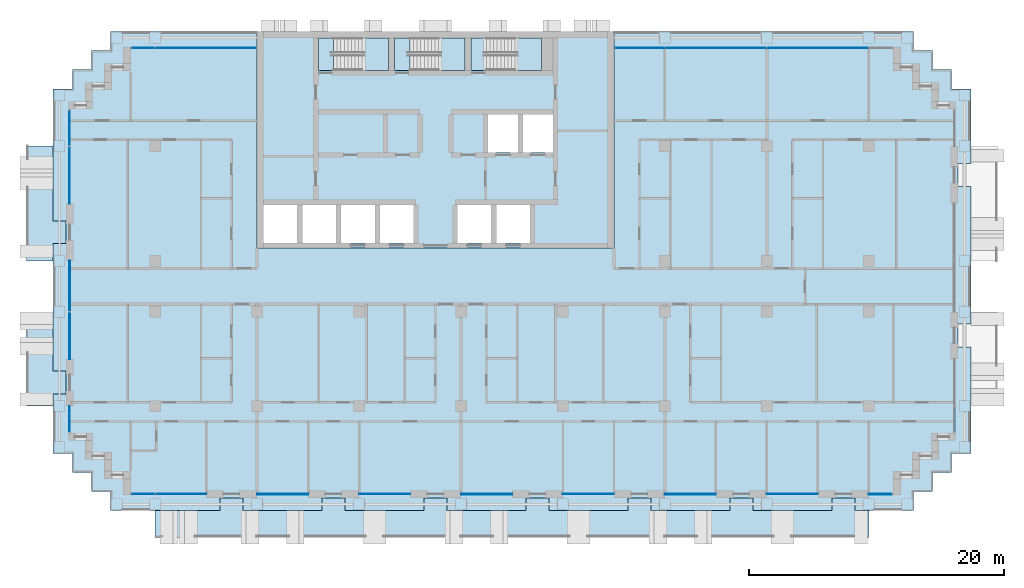
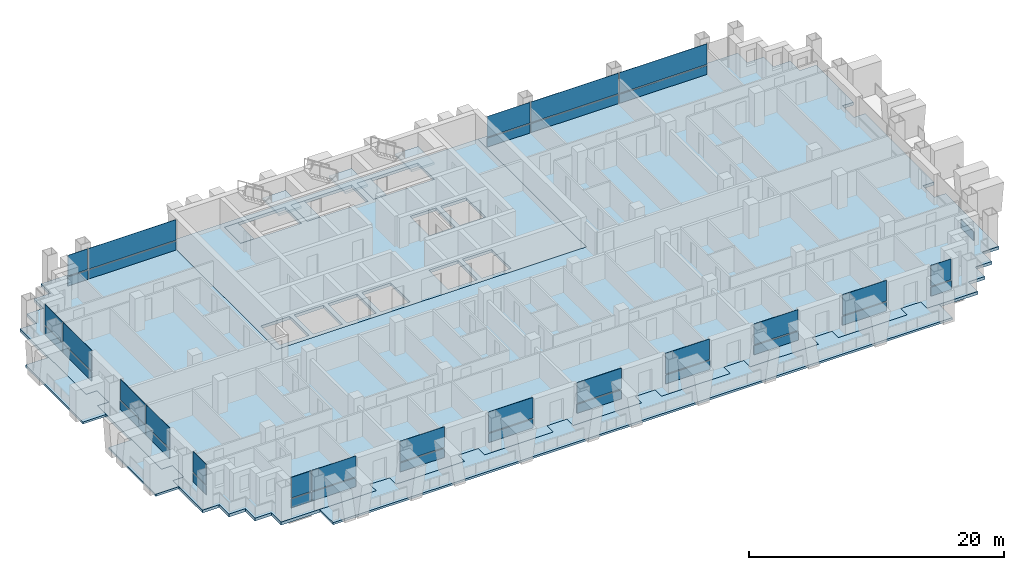
# One storey, part 7 of 18: 39 plates, 11 slabs, 17 elements without a shape of their own.
"""IFC4 building model written with IfcOpenShell, lengths in metres."""

import ifcopenshell
import ifcopenshell.guid

model = None  # the IFC model being written
_history = None  # IfcOwnerHistory: only IFC2X3 demands one
_inside = {}  # id of a spatial element -> (the spatial element, [elements in it])
_under = {}  # id of a project, library or spatial element -> (it, [spatial elements below it])
_declared = {}  # id of a project -> (the project, [libraries it declares])
_typed = {}  # id of a type object -> (the type object, [elements of that type])
_made_of = {}  # id of a material, layer set ... -> (it, [elements and type objects made of it])


def new_model(schema):
    """Start an empty IFC model of exactly this schema.

    Asked for "IFC4X3", IfcOpenShell would pick the latest addendum, in which some entities
    have other attributes; the version numbers below select the first issue.
    IFC2X3 requires an IfcOwnerHistory on every rooted entity: one is made here for all.
    """
    global model, _history
    if schema == "IFC4X3":
        model = ifcopenshell.file(schema_version=(4, 3, 0, 0))
    else:
        model = ifcopenshell.file(schema=schema)
    _inside.clear()
    _under.clear()
    _declared.clear()
    _typed.clear()
    _made_of.clear()
    _history = None
    if model.schema == "IFC2X3":
        org = make("IfcOrganization", Name="unknown")
        user = make(
            "IfcPersonAndOrganization",
            ThePerson=make("IfcPerson", FamilyName="unknown"),
            TheOrganization=org,
        )
        app = make(
            "IfcApplication",
            ApplicationDeveloper=org,
            Version="unknown",
            ApplicationFullName="unknown",
            ApplicationIdentifier="unknown",
        )
        _history = make(
            "IfcOwnerHistory",
            OwningUser=user,
            OwningApplication=app,
            ChangeAction="ADDED",
            CreationDate=0,
        )
    return model


def make(cls, **values):
    """One entity of the class cls with the attributes given. An attribute that is None is left unset."""
    return model.create_entity(
        cls, **{name: value for name, value in values.items() if value is not None}
    )


def rooted(cls, **values):
    """An entity with a GlobalId (a new one), such as an element, a storey or a relation."""
    return make(cls, GlobalId=ifcopenshell.guid.new(), OwnerHistory=_history, **values)


def si_unit(unit_type, name, prefix=None):
    """IfcSIUnit, for example si_unit("LENGTHUNIT", "METRE", prefix="MILLI")."""
    return make("IfcSIUnit", UnitType=unit_type, Prefix=prefix, Name=name)


def assignment(units):
    """IfcUnitAssignment: the units of a project."""
    return None if units is None else make("IfcUnitAssignment", Units=units)


def point(xyz):
    """IfcCartesianPoint."""
    return None if xyz is None else make("IfcCartesianPoint", Coordinates=xyz)


def direction(xyz):
    """IfcDirection."""
    return None if xyz is None else make("IfcDirection", DirectionRatios=xyz)


def frame(location, z_axis=None, x_axis=None):
    """IfcAxis2Placement3D, a coordinate frame: its origin and axes. An axis left out is left unset."""
    return make(
        "IfcAxis2Placement3D",
        Location=point(location),
        Axis=direction(z_axis),
        RefDirection=direction(x_axis),
    )


def frame_2d(location, x_axis=None):
    """IfcAxis2Placement2D, a coordinate frame in the plane: its origin and x axis."""
    return make(
        "IfcAxis2Placement2D", Location=point(location), RefDirection=direction(x_axis)
    )


def origin():
    """The frame at (0, 0, 0) with its axes left unset."""
    return frame((0.0, 0.0, 0.0))


def origin_2d():
    """The frame at (0, 0) in the plane with its x axis left unset."""
    return frame_2d((0.0, 0.0))


def place(relative_to, where):
    """IfcLocalPlacement: puts the frame where relative to a parent placement (None: the world)."""
    return make(
        "IfcLocalPlacement", PlacementRelTo=relative_to, RelativePlacement=where
    )


def context(
    kind, dimensions, precision=None, world=None, true_north=None, identifier=None
):
    """IfcGeometricRepresentationContext, for example the 3D "Model" context."""
    return make(
        "IfcGeometricRepresentationContext",
        ContextIdentifier=identifier,
        ContextType=kind,
        CoordinateSpaceDimension=dimensions,
        Precision=precision,
        WorldCoordinateSystem=world,
        TrueNorth=true_north,
    )


def subcontext(parent, identifier, kind, view, scale=None):
    """IfcGeometricRepresentationSubContext, for example "Body" below "Model"."""
    return make(
        "IfcGeometricRepresentationSubContext",
        ContextIdentifier=identifier,
        ContextType=kind,
        ParentContext=parent,
        TargetScale=scale,
        TargetView=view,
    )


def project(units=None, contexts=None):
    """IfcProject with its units and contexts."""
    return rooted(
        "IfcProject",
        Name="project",
        RepresentationContexts=contexts,
        UnitsInContext=assignment(units),
    )


def spatial(cls, under=None, at=None, **own):
    """A site, building, storey or space (cls), placed at a placement, below another one or the project."""
    s = rooted(cls, ObjectPlacement=at, **own)
    if under is not None:
        _under.setdefault(under.id(), (under, []))[1].append(s)
    return s


def polyline(points):
    """IfcPolyline through the points."""
    return make("IfcPolyline", Points=[point(p) for p in points])


def profile(cls, at=None, kind="AREA", **sizes):
    """A parametric profile (cls). Its sizes go by their IFC names, for example OverallWidth=200.0."""
    return make(cls, ProfileType=kind, Position=at, **sizes)


def rectangle(**sizes):
    """IfcRectangleProfileDef."""
    return profile("IfcRectangleProfileDef", **sizes)


def outline(outer, holes=None, kind="AREA"):
    """IfcArbitraryClosedProfileDef: a profile drawn as a closed curve; with holes, ...WithVoids."""
    if holes is None:
        return make("IfcArbitraryClosedProfileDef", ProfileType=kind, OuterCurve=outer)
    return make(
        "IfcArbitraryProfileDefWithVoids",
        ProfileType=kind,
        OuterCurve=outer,
        InnerCurves=holes,
    )


def extrude(swept, where, along, depth):
    """IfcExtrudedAreaSolid: the profile swept, set in the frame where, extruded along a direction by depth."""
    return make(
        "IfcExtrudedAreaSolid",
        SweptArea=swept,
        Position=where,
        ExtrudedDirection=direction(along),
        Depth=depth,
    )


def shape(context_of_items, identifier, shape_type, items):
    """IfcShapeRepresentation: the items that make up one representation, for example the "Body"."""
    return make(
        "IfcShapeRepresentation",
        ContextOfItems=context_of_items,
        RepresentationIdentifier=identifier,
        RepresentationType=shape_type,
        Items=items,
    )


def material(Name=None, Category=None):
    """IfcMaterial."""
    return make("IfcMaterial", Name=Name, Category=Category)


def layer(
    of_material, thickness, ventilated=None, Name=None, Category=None, Priority=None
):
    """IfcMaterialLayer: one layer of a wall or slab, of a material (None: an air gap)."""
    return make(
        "IfcMaterialLayer",
        Material=of_material,
        LayerThickness=thickness,
        IsVentilated=ventilated,
        Name=Name,
        Category=Category,
        Priority=Priority,
    )


def layer_set(layers, Name=None):
    """IfcMaterialLayerSet."""
    return make("IfcMaterialLayerSet", MaterialLayers=layers, LayerSetName=Name)


def made_of(thing, what):
    """Note that an element or type object is made of a material, layer set ...; save() writes the relation."""
    if what is not None:
        _made_of.setdefault(what.id(), (what, []))[1].append(thing)
    return thing


def type_object(cls, material=None, **own):
    """A type object (cls), such as IfcWallType, which elements share."""
    return made_of(rooted(cls, **own), material)


def element(
    cls,
    number,
    at=None,
    inside=None,
    cuts=None,
    type_object=None,
    material=None,
    context=None,
    identifier="Body",
    shape_type=None,
    held_by="IfcProductDefinitionShape",
    body=None,
    shapes=None,
    **own,
):
    """One element of the class cls, such as IfcWall. Its Tag is "e" and its number.

    at: its placement. inside: the storey or other place that contains it. cuts: it is an
    opening in that element (IfcRelVoidsElement). A single representation is given by context,
    identifier, shape_type and body (its items); several are given by shapes. held_by: the class
    of the entity that holds the representations. save() writes the other relations.
    """
    e = rooted(cls, Tag="e%d" % number, ObjectPlacement=at, **own)
    if body is not None:
        shapes = [shape(context, identifier, shape_type, body)]
    if shapes is not None:
        e.Representation = make(held_by, Representations=shapes)
    if inside is not None:
        _inside.setdefault(inside.id(), (inside, []))[1].append(e)
    if cuts is not None:
        rooted(
            "IfcRelVoidsElement", RelatingBuildingElement=cuts, RelatedOpeningElement=e
        )
    if type_object is not None:
        _typed.setdefault(type_object.id(), (type_object, []))[1].append(e)
    return made_of(e, material)


def aggregate(whole, parts):
    """IfcRelAggregates: a whole, such as a stair, and the parts it consists of."""
    return rooted("IfcRelAggregates", RelatingObject=whole, RelatedObjects=parts)


def save(model, path):
    """Write the relations noted so far, then the file.

    IfcRelAggregates (storeys below a building ...), IfcRelContainedInSpatialStructure (elements
    in a storey), IfcRelDefinesByType, IfcRelAssociatesMaterial and IfcRelDeclares: one each for
    every whole, place, type object, material and project.
    """
    for whole, parts in _under.values():
        aggregate(whole, parts)
    for where, things in _inside.values():
        rooted(
            "IfcRelContainedInSpatialStructure",
            RelatedElements=things,
            RelatingStructure=where,
        )
    for kind, things in _typed.values():
        rooted("IfcRelDefinesByType", RelatedObjects=things, RelatingType=kind)
    for what, things in _made_of.values():
        rooted("IfcRelAssociatesMaterial", RelatedObjects=things, RelatingMaterial=what)
    for by, libraries in _declared.values():
        rooted("IfcRelDeclares", RelatingContext=by, RelatedDefinitions=libraries)
    model.write(path)


model = new_model("IFC4")

# Units and contexts
model_context = context("Model", 3, precision=1e-05, world=origin(), true_north=direction((0.0, 1.0)))
body_context = subcontext(model_context, "Body", "Model", "MODEL_VIEW")
ifc_project = project(units=[si_unit("LENGTHUNIT", "METRE"), si_unit("AREAUNIT", "SQUARE_METRE"), si_unit("VOLUMEUNIT", "CUBIC_METRE"), si_unit("PLANEANGLEUNIT", "RADIAN"), si_unit("MASSUNIT", "GRAM", prefix="KILO")], contexts=[model_context])

# Site, building, storey
site_placement = place(None, origin())
site = spatial("IfcSite", under=ifc_project, at=site_placement, CompositionType="ELEMENT")
building_placement = place(site_placement, origin())
building = spatial("IfcBuilding", under=site, at=building_placement, Name="Vidyagriha Tower", CompositionType="ELEMENT")
storey_placement = place(building_placement, frame((0.0, 0.0, 93.5)))
storey = spatial("IfcBuildingStorey", under=building, at=storey_placement, Name="L24", CompositionType="ELEMENT", Elevation=93.5)

# Curtain wall, plate
ifc_material_1 = material(Name="Aluminium and glass curtain wall", Category="aluminium")
curtain_wall_type = type_object("IfcCurtainWallType", Name="Dwelling skin unitised curtain wall", PredefinedType="USERDEFINED", material=ifc_material_1)
curtain_wall_1_placement = place(storey_placement, origin())
curtain_wall_1 = element("IfcCurtainWall", 1, at=curtain_wall_1_placement, inside=storey, type_object=curtain_wall_type, Name="CW1 dwelling skin", ObjectType="UNITISED", PredefinedType="USERDEFINED")
ifc_material_2 = material(Name="Glass dark ceramic-fritted spandrel", Category="glass")
ifc_layer_1 = layer(ifc_material_2, 0.0400390625)
ifc_layer_set_1 = layer_set([ifc_layer_1], Name="Glass dark ceramic-fritted spandrel")
plate_type_1 = type_object("IfcPlateType", Name="Ceramic-fritted spandrel panel", PredefinedType="CURTAIN_PANEL", material=ifc_layer_set_1)
plate_1_placement = place(storey_placement, frame((22.0, 18.699951171875, 0.0), z_axis=(0.0, 0.0, 1.0), x_axis=(-1.0, 0.0, 0.0)))
plate_1 = element("IfcPlate", 2, at=plate_1_placement, type_object=plate_type_1, Name="CW1 panel 3.1", PredefinedType="CURTAIN_PANEL", context=body_context, shape_type="SweptSolid", body=[
    extrude(rectangle(XDim=7.929931640625, YDim=0.0400390625, at=origin_2d()), origin(), (0.0, 0.0, 1.0), 0.85009765625),
])

curtain_wall_2_placement = place(storey_placement, origin())
curtain_wall_2 = element("IfcCurtainWall", 3, at=curtain_wall_2_placement, inside=storey, type_object=curtain_wall_type, Name="CW1 dwelling skin", ObjectType="UNITISED", PredefinedType="USERDEFINED")
plate_2_placement = place(storey_placement, frame((-18.017578125, 18.699951171875, 0.0), z_axis=(0.0, 0.0, 1.0), x_axis=(-1.0, 0.0, 0.0)))
plate_2 = element("IfcPlate", 4, at=plate_2_placement, type_object=plate_type_1, Name="CW1 panel 1.1", PredefinedType="CURTAIN_PANEL", context=body_context, shape_type="SweptSolid", body=[
    extrude(rectangle(XDim=7.89501953125, YDim=0.0400390625, at=origin_2d()), origin(), (0.0, 0.0, 1.0), 0.85009765625),
])

# Curtain wall, plates
curtain_wall_3_placement = place(storey_placement, origin())
curtain_wall_3 = element("IfcCurtainWall", 5, at=curtain_wall_3_placement, inside=storey, type_object=curtain_wall_type, Name="CW1 dwelling skin", ObjectType="UNITISED", PredefinedType="USERDEFINED")
plate_3_placement = place(storey_placement, frame((-28.699951171875, 12.4326171875, 0.0), z_axis=(0.0, 0.0, 1.0), x_axis=(0.0, -1.0, 0.0)))
plate_3 = element("IfcPlate", 6, at=plate_3_placement, type_object=plate_type_1, Name="CW1 panel 1.1", PredefinedType="CURTAIN_PANEL", context=body_context, shape_type="SweptSolid", body=[
    extrude(rectangle(XDim=2.794921875, YDim=0.0400390625, at=origin_2d()), origin(), (0.0, 0.0, 1.0), 0.85009765625),
])
plate_4_placement = place(storey_placement, frame((-28.699951171875, 8.732421875, 0.0), z_axis=(0.0, 0.0, 1.0), x_axis=(0.0, -1.0, 0.0)))
plate_4 = element("IfcPlate", 7, at=plate_4_placement, type_object=plate_type_1, Name="CW1 panel 2.1", PredefinedType="CURTAIN_PANEL", context=body_context, shape_type="SweptSolid", body=[
    extrude(rectangle(XDim=4.465087890625, YDim=0.0400390625, at=origin_2d()), origin(), (0.0, 0.0, 1.0), 0.85009765625),
])

# Curtain wall, plate
curtain_wall_4_placement = place(storey_placement, origin())
curtain_wall_4 = element("IfcCurtainWall", 8, at=curtain_wall_4_placement, inside=storey, type_object=curtain_wall_type, Name="CW1 dwelling skin", ObjectType="UNITISED", PredefinedType="USERDEFINED")
plate_5_placement = place(storey_placement, frame((-28.699951171875, -10.4150390625, 0.0), z_axis=(0.0, 0.0, 1.0), x_axis=(0.0, -1.0, 0.0)))
plate_5 = element("IfcPlate", 9, at=plate_5_placement, type_object=plate_type_1, Name="CW1 panel 1.1", PredefinedType="CURTAIN_PANEL", context=body_context, shape_type="SweptSolid", body=[
    extrude(rectangle(XDim=2.030029296875, YDim=0.0400390625, at=origin_2d()), origin(), (0.0, 0.0, 1.0), 0.85009765625),
])

# Curtain wall, plates
curtain_wall_5_placement = place(storey_placement, origin())
curtain_wall_5 = element("IfcCurtainWall", 10, at=curtain_wall_5_placement, inside=storey, type_object=curtain_wall_type, Name="CW1 dwelling skin", ObjectType="UNITISED", PredefinedType="USERDEFINED")
plate_6_placement = place(storey_placement, frame((-22.9326171875, -16.300048828125, 0.0)))
plate_6 = element("IfcPlate", 11, at=plate_6_placement, type_object=plate_type_1, Name="CW1 panel 1.1", PredefinedType="CURTAIN_PANEL", context=body_context, shape_type="SweptSolid", body=[
    extrude(rectangle(XDim=1.794921875, YDim=0.0400390625, at=origin_2d()), origin(), (0.0, 0.0, 1.0), 0.85009765625),
])
plate_7_placement = place(storey_placement, frame((-19.982421875, -16.300048828125, 0.0)))
plate_7 = element("IfcPlate", 12, at=plate_7_placement, type_object=plate_type_1, Name="CW1 panel 2.1", PredefinedType="CURTAIN_PANEL", context=body_context, shape_type="SweptSolid", body=[
    extrude(rectangle(XDim=3.965087890625, YDim=0.0400390625, at=origin_2d()), origin(), (0.0, 0.0, 1.0), 0.85009765625),
])

# Curtain wall, plate
curtain_wall_6_placement = place(storey_placement, origin())
curtain_wall_6 = element("IfcCurtainWall", 13, at=curtain_wall_6_placement, inside=storey, type_object=curtain_wall_type, Name="CW1 dwelling skin", ObjectType="UNITISED", PredefinedType="USERDEFINED")
plate_8_placement = place(storey_placement, frame((-4.0, -16.300048828125, 0.0)))
plate_8 = element("IfcPlate", 14, at=plate_8_placement, type_object=plate_type_1, Name="CW1 panel 1.1", PredefinedType="CURTAIN_PANEL", context=body_context, shape_type="SweptSolid", body=[
    extrude(rectangle(XDim=4.0, YDim=0.0400390625, at=origin_2d()), origin(), (0.0, 0.0, 1.0), 0.85009765625),
])

curtain_wall_7_placement = place(storey_placement, origin())
curtain_wall_7 = element("IfcCurtainWall", 15, at=curtain_wall_7_placement, inside=storey, type_object=curtain_wall_type, Name="CW1 dwelling skin", ObjectType="UNITISED", PredefinedType="USERDEFINED")
plate_9_placement = place(storey_placement, frame((12.0, -16.300048828125, 0.0)))
plate_9 = element("IfcPlate", 16, at=plate_9_placement, type_object=plate_type_1, Name="CW1 panel 1.1", PredefinedType="CURTAIN_PANEL", context=body_context, shape_type="SweptSolid", body=[
    extrude(rectangle(XDim=4.0, YDim=0.0400390625, at=origin_2d()), origin(), (0.0, 0.0, 1.0), 0.85009765625),
])

curtain_wall_8_placement = place(storey_placement, origin())
curtain_wall_8 = element("IfcCurtainWall", 17, at=curtain_wall_8_placement, inside=storey, type_object=curtain_wall_type, Name="CW1 dwelling skin", ObjectType="UNITISED", PredefinedType="USERDEFINED")
plate_10_placement = place(storey_placement, frame((28.0, -16.300048828125, 0.0)))
plate_10 = element("IfcPlate", 18, at=plate_10_placement, type_object=plate_type_1, Name="CW1 panel 1.1", PredefinedType="CURTAIN_PANEL", context=body_context, shape_type="SweptSolid", body=[
    extrude(rectangle(XDim=4.0, YDim=0.0400390625, at=origin_2d()), origin(), (0.0, 0.0, 1.0), 0.85009765625),
])

curtain_wall_9_placement = place(storey_placement, origin())
curtain_wall_9 = element("IfcCurtainWall", 19, at=curtain_wall_9_placement, inside=storey, type_object=curtain_wall_type, Name="CW1 dwelling skin", ObjectType="UNITISED", PredefinedType="USERDEFINED")
plate_11_placement = place(storey_placement, frame((40.699951171875, -10.4326171875, 0.0), z_axis=(0.0, 0.0, 1.0), x_axis=(0.0, 1.0, 0.0)))
plate_11 = element("IfcPlate", 20, at=plate_11_placement, type_object=plate_type_1, Name="CW1 panel 1.1", PredefinedType="CURTAIN_PANEL", context=body_context, shape_type="SweptSolid", body=[
    extrude(rectangle(XDim=1.9951171875, YDim=0.0400390625, at=origin_2d()), origin(), (0.0, 0.0, 1.0), 0.85009765625),
])
aggregate(curtain_wall_9, [plate_11])

# Slab
ifc_material_3 = material(Name="Concrete C60/75", Category="concrete")
ifc_layer_2 = layer(ifc_material_3, 0.280029296875)
ifc_layer_set_2 = layer_set([ifc_layer_2], Name="Concrete C60/75")
slab_type_1 = type_object("IfcSlabType", Name="Core floor slab 280 mm", PredefinedType="FLOOR", material=ifc_layer_set_2)
slab_1_placement = place(storey_placement, frame((0.0, 0.0, -0.280029296875)))
element("IfcSlab", 21, at=slab_1_placement, inside=storey, type_object=slab_type_1, Name="L24 core floor 1", PredefinedType="FLOOR", context=body_context, shape_type="SweptSolid", body=[
    extrude(outline(polyline([(-14.0, 3.0), (-14.0, 20.0), (14.0, 20.0), (14.0, 3.0), (-14.0, 3.0)]), holes=[polyline([(9.199951171875, 13.5), (6.86669921875, 13.5), (6.86669921875, 10.5), (9.199951171875, 10.5), (9.199951171875, 13.5)]), polyline([(4.0, 19.5), (2.800048828125, 19.5), (2.800048828125, 16.949951171875), (4.0, 16.949951171875), (8.300048828125, 16.949951171875), (8.300048828125, 19.5), (4.0, 19.5)]), polyline([(7.4111328125, 6.39990234375), (4.7666015625, 6.39990234375), (4.7666015625, 3.39990234375), (7.4111328125, 3.39990234375), (7.4111328125, 6.39990234375)]), polyline([(6.466796875, 13.5), (4.13330078125, 13.5), (4.13330078125, 10.5), (6.466796875, 10.5), (6.466796875, 13.5)]), polyline([(1.72216796875, 6.39990234375), (1.72216796875, 3.39990234375), (4.36669921875, 3.39990234375), (4.36669921875, 6.39990234375), (1.72216796875, 6.39990234375)]), polyline([(-2.0, 16.949951171875), (2.300048828125, 16.949951171875), (2.300048828125, 19.5), (-2.0, 19.5), (-3.199951171875, 19.5), (-3.199951171875, 16.949951171875), (-2.0, 16.949951171875)]), polyline([(-1.72216796875, 6.39990234375), (-4.36669921875, 6.39990234375), (-4.36669921875, 3.39990234375), (-1.72216796875, 3.39990234375), (-1.72216796875, 6.39990234375)]), polyline([(-8.0, 19.5), (-9.199951171875, 19.5), (-9.199951171875, 16.949951171875), (-8.0, 16.949951171875), (-3.699951171875, 16.949951171875), (-3.699951171875, 19.5), (-8.0, 19.5)]), polyline([(-4.7666015625, 6.39990234375), (-7.4111328125, 6.39990234375), (-7.4111328125, 3.39990234375), (-4.7666015625, 3.39990234375), (-4.7666015625, 6.39990234375)]), polyline([(-7.81103515625, 6.39990234375), (-10.45556640625, 6.39990234375), (-10.45556640625, 3.39990234375), (-7.81103515625, 3.39990234375), (-7.81103515625, 6.39990234375)]), polyline([(-13.5, 6.39990234375), (-13.5, 3.39990234375), (-10.855712890625, 3.39990234375), (-10.855712890625, 6.39990234375), (-13.5, 6.39990234375)])]), origin(), (0.0, 0.0, 1.0), 0.280029296875),
])

# Plate
ifc_material_4 = material(Name="Glass dark ceramic-fritted", Category="glass")
ifc_layer_3 = layer(ifc_material_4, 0.028076171875)
ifc_layer_set_3 = layer_set([ifc_layer_3], Name="Glass dark ceramic-fritted")
plate_type_2 = type_object("IfcPlateType", Name="Dark ceramic-fritted vision glass panel", PredefinedType="CURTAIN_PANEL", material=ifc_layer_set_3)
plate_12_placement = place(storey_placement, frame((30.0, 18.699951171875, 0.9501953125), z_axis=(0.0, 0.0, 1.0), x_axis=(-1.0, 0.0, 0.0)))
plate_12 = element("IfcPlate", 22, at=plate_12_placement, type_object=plate_type_2, Name="CW1 panel 2.2", PredefinedType="CURTAIN_PANEL", context=body_context, shape_type="SweptSolid", body=[
    extrude(rectangle(XDim=7.929931640625, YDim=0.028076171875, at=origin_2d()), origin(), (0.0, 0.0, 1.0), 1.969970703125),
])

plate_13_placement = place(storey_placement, frame((22.0, 18.699951171875, 0.9501953125), z_axis=(0.0, 0.0, 1.0), x_axis=(-1.0, 0.0, 0.0)))
plate_13 = element("IfcPlate", 23, at=plate_13_placement, type_object=plate_type_2, Name="CW1 panel 3.2", PredefinedType="CURTAIN_PANEL", context=body_context, shape_type="SweptSolid", body=[
    extrude(rectangle(XDim=7.929931640625, YDim=0.028076171875, at=origin_2d()), origin(), (0.0, 0.0, 1.0), 1.969970703125),
])

plate_14_placement = place(storey_placement, frame((16.017578125, 18.699951171875, 0.9501953125), z_axis=(0.0, 0.0, 1.0), x_axis=(-1.0, 0.0, 0.0)))
plate_14 = element("IfcPlate", 24, at=plate_14_placement, type_object=plate_type_2, Name="CW1 panel 4.2", PredefinedType="CURTAIN_PANEL", context=body_context, shape_type="SweptSolid", body=[
    extrude(rectangle(XDim=3.89501953125, YDim=0.028076171875, at=origin_2d()), origin(), (0.0, 0.0, 1.0), 1.969970703125),
])

plate_15_placement = place(storey_placement, frame((-18.017578125, 18.699951171875, 0.9501953125), z_axis=(0.0, 0.0, 1.0), x_axis=(-1.0, 0.0, 0.0)))
plate_15 = element("IfcPlate", 25, at=plate_15_placement, type_object=plate_type_2, Name="CW1 panel 1.2", PredefinedType="CURTAIN_PANEL", context=body_context, shape_type="SweptSolid", body=[
    extrude(rectangle(XDim=7.89501953125, YDim=0.028076171875, at=origin_2d()), origin(), (0.0, 0.0, 1.0), 1.969970703125),
])

plate_16_placement = place(storey_placement, frame((-22.9326171875, 18.699951171875, 0.9501953125), z_axis=(0.0, 0.0, 1.0), x_axis=(-1.0, 0.0, 0.0)))
plate_16 = element("IfcPlate", 26, at=plate_16_placement, type_object=plate_type_2, Name="CW1 panel 2.2", PredefinedType="CURTAIN_PANEL", context=body_context, shape_type="SweptSolid", body=[
    extrude(rectangle(XDim=1.794921875, YDim=0.028076171875, at=origin_2d()), origin(), (0.0, 0.0, 1.0), 1.969970703125),
])

plate_17_placement = place(storey_placement, frame((-28.699951171875, 12.4326171875, 0.9501953125), z_axis=(0.0, 0.0, 1.0), x_axis=(0.0, -1.0, 0.0)))
plate_17 = element("IfcPlate", 27, at=plate_17_placement, type_object=plate_type_2, Name="CW1 panel 1.2", PredefinedType="CURTAIN_PANEL", context=body_context, shape_type="SweptSolid", body=[
    extrude(rectangle(XDim=2.794921875, YDim=0.028076171875, at=origin_2d()), origin(), (0.0, 0.0, 1.0), 1.969970703125),
])

plate_18_placement = place(storey_placement, frame((-28.699951171875, 8.732421875, 0.9501953125), z_axis=(0.0, 0.0, 1.0), x_axis=(0.0, -1.0, 0.0)))
plate_18 = element("IfcPlate", 28, at=plate_18_placement, type_object=plate_type_2, Name="CW1 panel 2.2", PredefinedType="CURTAIN_PANEL", context=body_context, shape_type="SweptSolid", body=[
    extrude(rectangle(XDim=4.465087890625, YDim=0.028076171875, at=origin_2d()), origin(), (0.0, 0.0, 1.0), 1.969970703125),
])

aggregate(curtain_wall_3, [plate_3, plate_17, plate_4, plate_18])

# Curtain wall, plates
curtain_wall_10_placement = place(storey_placement, origin())
curtain_wall_10 = element("IfcCurtainWall", 29, at=curtain_wall_10_placement, inside=storey, type_object=curtain_wall_type, Name="CW1 dwelling skin", ObjectType="UNITISED", PredefinedType="USERDEFINED")
plate_19_placement = place(storey_placement, frame((-28.699951171875, 0.017578125, 0.9501953125), z_axis=(0.0, 0.0, 1.0), x_axis=(0.0, -1.0, 0.0)))
plate_19 = element("IfcPlate", 30, at=plate_19_placement, type_object=plate_type_2, Name="CW1 panel 1.2", PredefinedType="CURTAIN_PANEL", context=body_context, shape_type="SweptSolid", body=[
    extrude(rectangle(XDim=3.965087890625, YDim=0.028076171875, at=origin_2d()), origin(), (0.0, 0.0, 1.0), 1.969970703125),
])
plate_20_placement = place(storey_placement, frame((-28.699951171875, -3.867431640625, 0.9501953125), z_axis=(0.0, 0.0, 1.0), x_axis=(0.0, -1.0, 0.0)))
plate_20 = element("IfcPlate", 31, at=plate_20_placement, type_object=plate_type_2, Name="CW1 panel 2.2", PredefinedType="CURTAIN_PANEL", context=body_context, shape_type="SweptSolid", body=[
    extrude(rectangle(XDim=3.6650390625, YDim=0.028076171875, at=origin_2d()), origin(), (0.0, 0.0, 1.0), 1.969970703125),
])

# Plate
plate_21_placement = place(storey_placement, frame((-28.699951171875, -10.4150390625, 0.9501953125), z_axis=(0.0, 0.0, 1.0), x_axis=(0.0, -1.0, 0.0)))
plate_21 = element("IfcPlate", 32, at=plate_21_placement, type_object=plate_type_2, Name="CW1 panel 1.2", PredefinedType="CURTAIN_PANEL", context=body_context, shape_type="SweptSolid", body=[
    extrude(rectangle(XDim=2.030029296875, YDim=0.028076171875, at=origin_2d()), origin(), (0.0, 0.0, 1.0), 1.969970703125),
])

aggregate(curtain_wall_4, [plate_5, plate_21])

plate_22_placement = place(storey_placement, frame((-22.9326171875, -16.300048828125, 0.9501953125)))
plate_22 = element("IfcPlate", 33, at=plate_22_placement, type_object=plate_type_2, Name="CW1 panel 1.2", PredefinedType="CURTAIN_PANEL", context=body_context, shape_type="SweptSolid", body=[
    extrude(rectangle(XDim=1.794921875, YDim=0.028076171875, at=origin_2d()), origin(), (0.0, 0.0, 1.0), 1.969970703125),
])

plate_23_placement = place(storey_placement, frame((-19.982421875, -16.300048828125, 0.9501953125)))
plate_23 = element("IfcPlate", 34, at=plate_23_placement, type_object=plate_type_2, Name="CW1 panel 2.2", PredefinedType="CURTAIN_PANEL", context=body_context, shape_type="SweptSolid", body=[
    extrude(rectangle(XDim=3.965087890625, YDim=0.028076171875, at=origin_2d()), origin(), (0.0, 0.0, 1.0), 1.969970703125),
])

aggregate(curtain_wall_5, [plate_6, plate_22, plate_7, plate_23])

# Curtain wall, plate
curtain_wall_11_placement = place(storey_placement, origin())
curtain_wall_11 = element("IfcCurtainWall", 35, at=curtain_wall_11_placement, inside=storey, type_object=curtain_wall_type, Name="CW1 dwelling skin", ObjectType="UNITISED", PredefinedType="USERDEFINED")
plate_24_placement = place(storey_placement, frame((-12.0, -16.300048828125, 0.9501953125)))
plate_24 = element("IfcPlate", 36, at=plate_24_placement, type_object=plate_type_2, Name="CW1 panel 1.2", PredefinedType="CURTAIN_PANEL", context=body_context, shape_type="SweptSolid", body=[
    extrude(rectangle(XDim=4.0, YDim=0.028076171875, at=origin_2d()), origin(), (0.0, 0.0, 1.0), 1.969970703125),
])

# Plate
plate_25_placement = place(storey_placement, frame((-4.0, -16.300048828125, 0.9501953125)))
plate_25 = element("IfcPlate", 37, at=plate_25_placement, type_object=plate_type_2, Name="CW1 panel 1.2", PredefinedType="CURTAIN_PANEL", context=body_context, shape_type="SweptSolid", body=[
    extrude(rectangle(XDim=4.0, YDim=0.028076171875, at=origin_2d()), origin(), (0.0, 0.0, 1.0), 1.969970703125),
])

aggregate(curtain_wall_6, [plate_8, plate_25])

# Curtain wall, plate
curtain_wall_12_placement = place(storey_placement, origin())
curtain_wall_12 = element("IfcCurtainWall", 38, at=curtain_wall_12_placement, inside=storey, type_object=curtain_wall_type, Name="CW1 dwelling skin", ObjectType="UNITISED", PredefinedType="USERDEFINED")
plate_26_placement = place(storey_placement, frame((4.0, -16.300048828125, 0.9501953125)))
plate_26 = element("IfcPlate", 39, at=plate_26_placement, type_object=plate_type_2, Name="CW1 panel 1.2", PredefinedType="CURTAIN_PANEL", context=body_context, shape_type="SweptSolid", body=[
    extrude(rectangle(XDim=4.0, YDim=0.028076171875, at=origin_2d()), origin(), (0.0, 0.0, 1.0), 1.969970703125),
])

# Plate
plate_27_placement = place(storey_placement, frame((12.0, -16.300048828125, 0.9501953125)))
plate_27 = element("IfcPlate", 40, at=plate_27_placement, type_object=plate_type_2, Name="CW1 panel 1.2", PredefinedType="CURTAIN_PANEL", context=body_context, shape_type="SweptSolid", body=[
    extrude(rectangle(XDim=4.0, YDim=0.028076171875, at=origin_2d()), origin(), (0.0, 0.0, 1.0), 1.969970703125),
])

aggregate(curtain_wall_7, [plate_9, plate_27])

# Curtain wall, plate
curtain_wall_13_placement = place(storey_placement, origin())
curtain_wall_13 = element("IfcCurtainWall", 41, at=curtain_wall_13_placement, inside=storey, type_object=curtain_wall_type, Name="CW1 dwelling skin", ObjectType="UNITISED", PredefinedType="USERDEFINED")
plate_28_placement = place(storey_placement, frame((20.0, -16.300048828125, 0.9501953125)))
plate_28 = element("IfcPlate", 42, at=plate_28_placement, type_object=plate_type_2, Name="CW1 panel 1.2", PredefinedType="CURTAIN_PANEL", context=body_context, shape_type="SweptSolid", body=[
    extrude(rectangle(XDim=4.0, YDim=0.028076171875, at=origin_2d()), origin(), (0.0, 0.0, 1.0), 1.969970703125),
])

# Plate
plate_29_placement = place(storey_placement, frame((28.0, -16.300048828125, 0.9501953125)))
plate_29 = element("IfcPlate", 43, at=plate_29_placement, type_object=plate_type_2, Name="CW1 panel 1.2", PredefinedType="CURTAIN_PANEL", context=body_context, shape_type="SweptSolid", body=[
    extrude(rectangle(XDim=4.0, YDim=0.028076171875, at=origin_2d()), origin(), (0.0, 0.0, 1.0), 1.969970703125),
])

aggregate(curtain_wall_8, [plate_10, plate_29])

# Curtain wall, plate
curtain_wall_14_placement = place(storey_placement, origin())
curtain_wall_14 = element("IfcCurtainWall", 44, at=curtain_wall_14_placement, inside=storey, type_object=curtain_wall_type, Name="CW1 dwelling skin", ObjectType="UNITISED", PredefinedType="USERDEFINED")
plate_30_placement = place(storey_placement, frame((34.9150390625, -16.300048828125, 0.9501953125)))
plate_30 = element("IfcPlate", 45, at=plate_30_placement, type_object=plate_type_2, Name="CW1 panel 1.2", PredefinedType="CURTAIN_PANEL", context=body_context, shape_type="SweptSolid", body=[
    extrude(rectangle(XDim=1.830078125, YDim=0.028076171875, at=origin_2d()), origin(), (0.0, 0.0, 1.0), 1.969970703125),
])

# Slabs
ifc_material_5 = material(Name="Concrete C40/50", Category="concrete")
ifc_layer_4 = layer(ifc_material_5, 0.280029296875)
ifc_layer_set_4 = layer_set([ifc_layer_4], Name="Concrete C40/50")
slab_type_2 = type_object("IfcSlabType", Name="Exit stair floor landing 280 mm", PredefinedType="LANDING", material=ifc_layer_set_4)
slab_2_placement = place(storey_placement, frame((0.0, 0.0, -0.280029296875)))
element("IfcSlab", 46, at=slab_2_placement, inside=storey, type_object=slab_type_2, Name="ST1 floor landing L24", PredefinedType="LANDING", context=body_context, shape_type="SweptSolid", body=[
    extrude(outline(polyline([(-9.199951171875, 16.949951171875), (-8.0, 16.949951171875), (-8.0, 19.5), (-9.199951171875, 19.5), (-9.199951171875, 16.949951171875)])), origin(), (0.0, 0.0, 1.0), 0.280029296875),
])
slab_3_placement = place(storey_placement, frame((0.0, 0.0, -0.280029296875)))
element("IfcSlab", 47, at=slab_3_placement, inside=storey, type_object=slab_type_2, Name="ST2 floor landing L24", PredefinedType="LANDING", context=body_context, shape_type="SweptSolid", body=[
    extrude(outline(polyline([(-3.199951171875, 16.949951171875), (-2.0, 16.949951171875), (-2.0, 19.5), (-3.199951171875, 19.5), (-3.199951171875, 16.949951171875)])), origin(), (0.0, 0.0, 1.0), 0.280029296875),
])
slab_4_placement = place(storey_placement, frame((0.0, 0.0, -0.280029296875)))
element("IfcSlab", 48, at=slab_4_placement, inside=storey, type_object=slab_type_2, Name="ST3 floor landing L24", PredefinedType="LANDING", context=body_context, shape_type="SweptSolid", body=[
    extrude(outline(polyline([(2.800048828125, 16.949951171875), (4.0, 16.949951171875), (4.0, 19.5), (2.800048828125, 19.5), (2.800048828125, 16.949951171875)])), origin(), (0.0, 0.0, 1.0), 0.280029296875),
])

# Stair, slab
ifc_material_6 = material(Name="Concrete C40/50", Category="concrete")
stair_type = type_object("IfcStairType", Name="Exit stair, half-turn, precast flights", PredefinedType="HALF_TURN_STAIR", material=ifc_material_6)
stair_1_placement = place(storey_placement, origin())
stair_1 = element("IfcStair", 49, at=stair_1_placement, inside=storey, type_object=stair_type, Name="L24 Exit Stair ST1", PredefinedType="HALF_TURN_STAIR")
ifc_material_7 = material(Name="Concrete C40/50", Category="concrete")
ifc_layer_5 = layer(ifc_material_7, 0.199951171875)
ifc_layer_set_5 = layer_set([ifc_layer_5], Name="Concrete C40/50")
slab_type_3 = type_object("IfcSlabType", Name="Exit stair landing 200 mm", PredefinedType="LANDING", material=ifc_layer_set_5)
slab_5_placement = place(storey_placement, frame((0.0, 0.0, 1.39990234375)))
slab_5 = element("IfcSlab", 50, at=slab_5_placement, type_object=slab_type_3, Name="ST1 landing 1", PredefinedType="LANDING", context=body_context, shape_type="SweptSolid", body=[
    extrude(outline(polyline([(-5.760009765625, 16.949951171875), (-3.699951171875, 16.949951171875), (-3.699951171875, 19.5), (-5.760009765625, 19.5), (-5.760009765625, 16.949951171875)])), origin(), (0.0, 0.0, 1.0), 0.2001953125),
])
aggregate(stair_1, [slab_5])

stair_2_placement = place(storey_placement, origin())
stair_2 = element("IfcStair", 51, at=stair_2_placement, inside=storey, type_object=stair_type, Name="L24 Exit Stair ST2", PredefinedType="HALF_TURN_STAIR")
slab_6_placement = place(storey_placement, frame((0.0, 0.0, 1.39990234375)))
slab_6 = element("IfcSlab", 52, at=slab_6_placement, type_object=slab_type_3, Name="ST2 landing 1", PredefinedType="LANDING", context=body_context, shape_type="SweptSolid", body=[
    extrude(outline(polyline([(0.239990234375, 16.949951171875), (2.300048828125, 16.949951171875), (2.300048828125, 19.5), (0.239990234375, 19.5), (0.239990234375, 16.949951171875)])), origin(), (0.0, 0.0, 1.0), 0.2001953125),
])
aggregate(stair_2, [slab_6])

stair_3_placement = place(storey_placement, origin())
stair_3 = element("IfcStair", 53, at=stair_3_placement, inside=storey, type_object=stair_type, Name="L24 Exit Stair ST3", PredefinedType="HALF_TURN_STAIR")
slab_7_placement = place(storey_placement, frame((0.0, 0.0, 1.39990234375)))
slab_7 = element("IfcSlab", 54, at=slab_7_placement, type_object=slab_type_3, Name="ST3 landing 1", PredefinedType="LANDING", context=body_context, shape_type="SweptSolid", body=[
    extrude(outline(polyline([(6.239990234375, 16.949951171875), (8.300048828125, 16.949951171875), (8.300048828125, 19.5), (6.239990234375, 19.5), (6.239990234375, 16.949951171875)])), origin(), (0.0, 0.0, 1.0), 0.2001953125),
])
aggregate(stair_3, [slab_7])

# Plate
ifc_material_8 = material(Name="Aluminium black anodised", Category="aluminium")
ifc_layer_6 = layer(ifc_material_8, 0.06005859375)
ifc_layer_set_6 = layer_set([ifc_layer_6], Name="Aluminium black anodised")
plate_type_3 = type_object("IfcPlateType", Name="Operable black-metal vent panel", PredefinedType="CURTAIN_PANEL", material=ifc_layer_set_6)
plate_31_placement = place(storey_placement, frame((30.0, 18.699951171875, 0.0), z_axis=(0.0, 0.0, 1.0), x_axis=(-1.0, 0.0, 0.0)))
plate_31 = element("IfcPlate", 55, at=plate_31_placement, type_object=plate_type_3, Name="CW1 panel 2.1", PredefinedType="CURTAIN_PANEL", context=body_context, shape_type="SweptSolid", body=[
    extrude(rectangle(XDim=7.929931640625, YDim=0.06005859375, at=origin_2d()), origin(), (0.0, 0.0, 1.0), 0.85009765625),
])

plate_32_placement = place(storey_placement, frame((16.017578125, 18.699951171875, 0.0), z_axis=(0.0, 0.0, 1.0), x_axis=(-1.0, 0.0, 0.0)))
plate_32 = element("IfcPlate", 56, at=plate_32_placement, type_object=plate_type_3, Name="CW1 panel 4.1", PredefinedType="CURTAIN_PANEL", context=body_context, shape_type="SweptSolid", body=[
    extrude(rectangle(XDim=3.89501953125, YDim=0.06005859375, at=origin_2d()), origin(), (0.0, 0.0, 1.0), 0.85009765625),
])

aggregate(curtain_wall_1, [plate_31, plate_12, plate_1, plate_13, plate_32, plate_14])

plate_33_placement = place(storey_placement, frame((-22.9326171875, 18.699951171875, 0.0), z_axis=(0.0, 0.0, 1.0), x_axis=(-1.0, 0.0, 0.0)))
plate_33 = element("IfcPlate", 57, at=plate_33_placement, type_object=plate_type_3, Name="CW1 panel 2.1", PredefinedType="CURTAIN_PANEL", context=body_context, shape_type="SweptSolid", body=[
    extrude(rectangle(XDim=1.794921875, YDim=0.06005859375, at=origin_2d()), origin(), (0.0, 0.0, 1.0), 0.85009765625),
])

aggregate(curtain_wall_2, [plate_2, plate_15, plate_33, plate_16])

plate_34_placement = place(storey_placement, frame((-28.699951171875, 0.017578125, 0.0), z_axis=(0.0, 0.0, 1.0), x_axis=(0.0, -1.0, 0.0)))
plate_34 = element("IfcPlate", 58, at=plate_34_placement, type_object=plate_type_3, Name="CW1 panel 1.1", PredefinedType="CURTAIN_PANEL", context=body_context, shape_type="SweptSolid", body=[
    extrude(rectangle(XDim=3.965087890625, YDim=0.06005859375, at=origin_2d()), origin(), (0.0, 0.0, 1.0), 0.85009765625),
])

plate_35_placement = place(storey_placement, frame((-28.699951171875, -3.867431640625, 0.0), z_axis=(0.0, 0.0, 1.0), x_axis=(0.0, -1.0, 0.0)))
plate_35 = element("IfcPlate", 59, at=plate_35_placement, type_object=plate_type_3, Name="CW1 panel 2.1", PredefinedType="CURTAIN_PANEL", context=body_context, shape_type="SweptSolid", body=[
    extrude(rectangle(XDim=3.6650390625, YDim=0.06005859375, at=origin_2d()), origin(), (0.0, 0.0, 1.0), 0.85009765625),
])

aggregate(curtain_wall_10, [plate_34, plate_19, plate_35, plate_20])

plate_36_placement = place(storey_placement, frame((-12.0, -16.300048828125, 0.0)))
plate_36 = element("IfcPlate", 60, at=plate_36_placement, type_object=plate_type_3, Name="CW1 panel 1.1", PredefinedType="CURTAIN_PANEL", context=body_context, shape_type="SweptSolid", body=[
    extrude(rectangle(XDim=4.0, YDim=0.06005859375, at=origin_2d()), origin(), (0.0, 0.0, 1.0), 0.85009765625),
])

aggregate(curtain_wall_11, [plate_36, plate_24])

plate_37_placement = place(storey_placement, frame((4.0, -16.300048828125, 0.0)))
plate_37 = element("IfcPlate", 61, at=plate_37_placement, type_object=plate_type_3, Name="CW1 panel 1.1", PredefinedType="CURTAIN_PANEL", context=body_context, shape_type="SweptSolid", body=[
    extrude(rectangle(XDim=4.0, YDim=0.06005859375, at=origin_2d()), origin(), (0.0, 0.0, 1.0), 0.85009765625),
])

aggregate(curtain_wall_12, [plate_37, plate_26])

plate_38_placement = place(storey_placement, frame((20.0, -16.300048828125, 0.0)))
plate_38 = element("IfcPlate", 62, at=plate_38_placement, type_object=plate_type_3, Name="CW1 panel 1.1", PredefinedType="CURTAIN_PANEL", context=body_context, shape_type="SweptSolid", body=[
    extrude(rectangle(XDim=4.0, YDim=0.06005859375, at=origin_2d()), origin(), (0.0, 0.0, 1.0), 0.85009765625),
])

aggregate(curtain_wall_13, [plate_38, plate_28])

plate_39_placement = place(storey_placement, frame((34.9150390625, -16.300048828125, 0.0)))
plate_39 = element("IfcPlate", 63, at=plate_39_placement, type_object=plate_type_3, Name="CW1 panel 1.1", PredefinedType="CURTAIN_PANEL", context=body_context, shape_type="SweptSolid", body=[
    extrude(rectangle(XDim=1.830078125, YDim=0.06005859375, at=origin_2d()), origin(), (0.0, 0.0, 1.0), 0.85009765625),
])

aggregate(curtain_wall_14, [plate_39, plate_30])

# Slabs
ifc_material_9 = material(Name="Concrete C50/60", Category="concrete")
ifc_layer_7 = layer(ifc_material_9, 0.280029296875)
ifc_layer_set_7 = layer_set([ifc_layer_7], Name="Concrete C50/60")
slab_type_4 = type_object("IfcSlabType", Name="Post-tensioned flat plate 280", PredefinedType="FLOOR", material=ifc_layer_set_7)
slab_8_placement = place(storey_placement, frame((0.0, 0.0, -0.280029296875)))
element("IfcSlab", 64, at=slab_8_placement, inside=storey, type_object=slab_type_4, Name="st-slab-L24-1", PredefinedType="FLOOR", context=body_context, shape_type="SweptSolid", body=[
    extrude(outline(polyline([(40.5, -14.60009765625), (39.0, -14.60009765625), (39.0, -16.10009765625), (37.5, -16.10009765625), (37.5, -17.60009765625), (32.89990234375, -17.60009765625), (32.89990234375, -16.60009765625), (31.10009765625, -16.60009765625), (31.10009765625, -17.60009765625), (24.89990234375, -17.60009765625), (24.89990234375, -16.60009765625), (23.10009765625, -16.60009765625), (23.10009765625, -17.60009765625), (16.89990234375, -17.60009765625), (16.89990234375, -16.60009765625), (15.10009765625, -16.60009765625), (15.10009765625, -17.60009765625), (8.89990234375, -17.60009765625), (8.89990234375, -16.60009765625), (7.10009765625, -16.60009765625), (7.10009765625, -17.60009765625), (0.89990234375, -17.60009765625), (0.89990234375, -16.60009765625), (-0.89990234375, -16.60009765625), (-0.89990234375, -17.60009765625), (-7.10009765625, -17.60009765625), (-7.10009765625, -16.60009765625), (-8.89990234375, -16.60009765625), (-8.89990234375, -17.60009765625), (-15.10009765625, -17.60009765625), (-15.10009765625, -16.60009765625), (-16.89990234375, -16.60009765625), (-16.89990234375, -17.60009765625), (-25.5, -17.60009765625), (-25.5, -16.10009765625), (-27.0, -16.10009765625), (-27.0, -14.60009765625), (-28.5, -14.60009765625), (-28.5, -13.10009765625), (-30.0, -13.10009765625), (-30.0, -8.449951171875), (-29.0, -8.449951171875), (-29.0, -6.64990234375), (-30.0, -6.64990234375), (-30.0, 3.35009765625), (-29.0, 3.35009765625), (-29.0, 5.14990234375), (-30.0, 5.14990234375), (-30.0, 15.5), (-28.5, 15.5), (-28.5, 17.0), (-27.0, 17.0), (-27.0, 18.5), (-25.5, 18.5), (-25.5, 20.0), (-14.0, 20.0), (-14.0, 3.0), (14.0, 3.0), (14.0, 20.0), (37.5, 20.0), (37.5, 18.5), (39.0, 18.5), (39.0, 17.0), (40.5, 17.0), (40.5, 15.5), (42.0, 15.5), (42.0, 9.64990234375), (41.0, 9.64990234375), (41.0, 7.85009765625), (42.0, 7.85009765625), (42.0, -2.949951171875), (41.0, -2.949951171875), (41.0, -4.75), (42.0, -4.75), (42.0, -13.10009765625), (40.5, -13.10009765625), (40.5, -14.60009765625)])), origin(), (0.0, 0.0, 1.0), 0.280029296875),
])
ifc_material_10 = material(Name="Precast concrete C40/50", Category="concrete")
ifc_layer_8 = layer(ifc_material_10, 0.199951171875)
ifc_layer_set_8 = layer_set([ifc_layer_8], Name="Precast concrete C40/50")
slab_type_5 = type_object("IfcSlabType", Name="Precast balcony slab 200", PredefinedType="USERDEFINED", material=ifc_layer_set_8)
slab_9_placement = place(storey_placement, frame((0.0, 0.0, -0.199951171875)))
element("IfcSlab", 65, at=slab_9_placement, inside=storey, type_object=slab_type_5, Name="Balcony slab L24 R16.1-1", ObjectType="BALCONY", PredefinedType="USERDEFINED", context=body_context, shape_type="SweptSolid", body=[
    extrude(outline(polyline([(-29.0, 3.35009765625), (-29.0, 5.14990234375), (-30.0, 5.14990234375), (-30.0, 11.0), (-32.10009765625, 11.0), (-32.10009765625, 2.0), (-30.0, 2.0), (-30.0, 3.35009765625), (-29.0, 3.35009765625)])), origin(), (0.0, 0.0, 1.0), 0.199951171875),
])
slab_10_placement = place(storey_placement, frame((0.0, 0.0, -0.199951171875)))
element("IfcSlab", 66, at=slab_10_placement, inside=storey, type_object=slab_type_5, Name="Balcony slab L24 R16.2-2", ObjectType="BALCONY", PredefinedType="USERDEFINED", context=body_context, shape_type="SweptSolid", body=[
    extrude(outline(polyline([(-29.0, -8.449951171875), (-29.0, -6.64990234375), (-30.0, -6.64990234375), (-30.0, -2.0), (-32.10009765625, -2.0), (-32.10009765625, -9.39990234375), (-30.0, -9.39990234375), (-30.0, -8.449951171875), (-29.0, -8.449951171875)])), origin(), (0.0, 0.0, 1.0), 0.199951171875),
])
slab_11_placement = place(storey_placement, frame((0.0, 0.0, -0.199951171875)))
element("IfcSlab", 67, at=slab_11_placement, inside=storey, type_object=slab_type_5, Name="Balcony slab L24 R23.1-7", ObjectType="BALCONY", PredefinedType="USERDEFINED", context=body_context, shape_type="SweptSolid", body=[
    extrude(outline(polyline([(-15.10009765625, -16.60009765625), (-16.89990234375, -16.60009765625), (-16.89990234375, -17.60009765625), (-22.0, -17.60009765625), (-22.0, -19.699951171875), (34.0, -19.699951171875), (34.0, -17.60009765625), (32.89990234375, -17.60009765625), (32.89990234375, -16.60009765625), (31.10009765625, -16.60009765625), (31.10009765625, -17.60009765625), (24.89990234375, -17.60009765625), (24.89990234375, -16.60009765625), (23.10009765625, -16.60009765625), (23.10009765625, -17.60009765625), (16.89990234375, -17.60009765625), (16.89990234375, -16.60009765625), (15.10009765625, -16.60009765625), (15.10009765625, -17.60009765625), (8.89990234375, -17.60009765625), (8.89990234375, -16.60009765625), (7.10009765625, -16.60009765625), (7.10009765625, -17.60009765625), (0.89990234375, -17.60009765625), (0.89990234375, -16.60009765625), (-0.89990234375, -16.60009765625), (-0.89990234375, -17.60009765625), (-7.10009765625, -17.60009765625), (-7.10009765625, -16.60009765625), (-8.89990234375, -16.60009765625), (-8.89990234375, -17.60009765625), (-15.10009765625, -17.60009765625), (-15.10009765625, -16.60009765625)])), origin(), (0.0, 0.0, 1.0), 0.199951171875),
])

save(model, "model.ifc")
